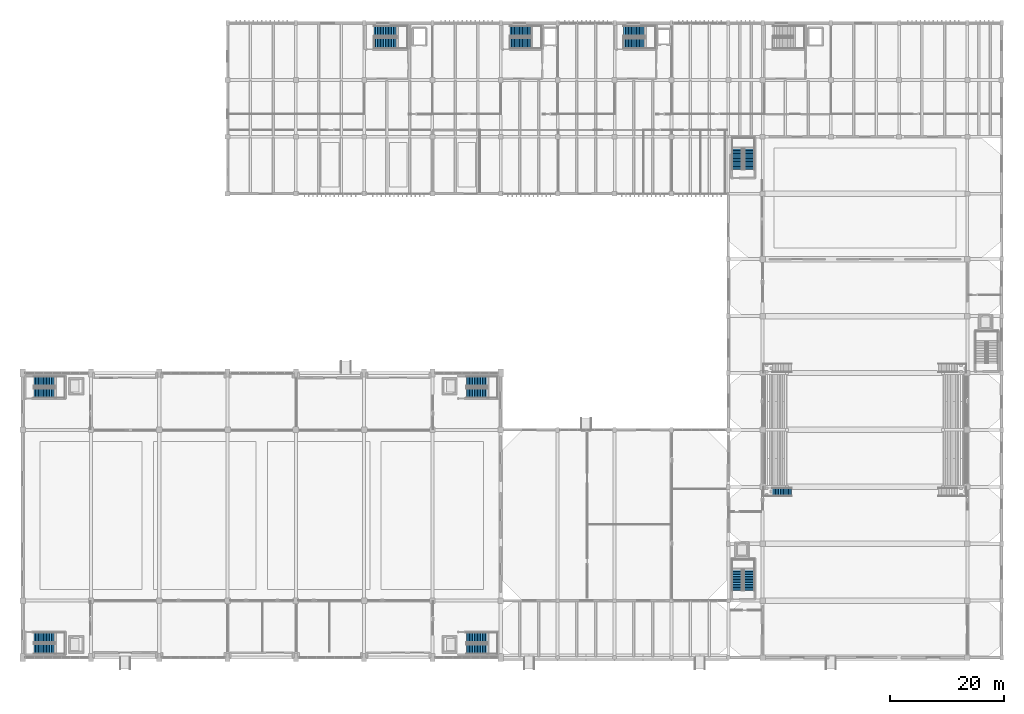
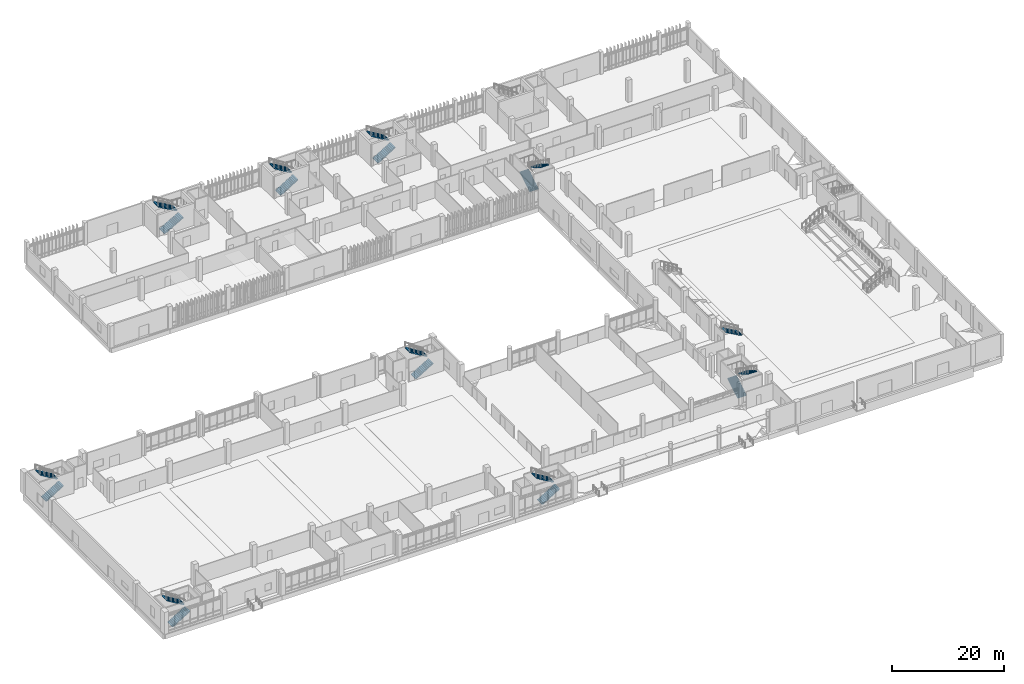
# One storey, part 79 of 87: 19 stair flights, 10 elements without a shape of their own.
"""IFC4 building model written with IfcOpenShell, lengths in metres."""

import ifcopenshell
import ifcopenshell.guid

model = None  # the IFC model being written
_history = None  # IfcOwnerHistory: only IFC2X3 demands one
_inside = {}  # id of a spatial element -> (the spatial element, [elements in it])
_under = {}  # id of a project, library or spatial element -> (it, [spatial elements below it])
_declared = {}  # id of a project -> (the project, [libraries it declares])
_typed = {}  # id of a type object -> (the type object, [elements of that type])
_made_of = {}  # id of a material, layer set ... -> (it, [elements and type objects made of it])


def new_model(schema):
    """Start an empty IFC model of exactly this schema.

    Asked for "IFC4X3", IfcOpenShell would pick the latest addendum, in which some entities
    have other attributes; the version numbers below select the first issue.
    IFC2X3 requires an IfcOwnerHistory on every rooted entity: one is made here for all.
    """
    global model, _history
    if schema == "IFC4X3":
        model = ifcopenshell.file(schema_version=(4, 3, 0, 0))
    else:
        model = ifcopenshell.file(schema=schema)
    _inside.clear()
    _under.clear()
    _declared.clear()
    _typed.clear()
    _made_of.clear()
    _history = None
    if model.schema == "IFC2X3":
        org = make("IfcOrganization", Name="unknown")
        user = make(
            "IfcPersonAndOrganization",
            ThePerson=make("IfcPerson", FamilyName="unknown"),
            TheOrganization=org,
        )
        app = make(
            "IfcApplication",
            ApplicationDeveloper=org,
            Version="unknown",
            ApplicationFullName="unknown",
            ApplicationIdentifier="unknown",
        )
        _history = make(
            "IfcOwnerHistory",
            OwningUser=user,
            OwningApplication=app,
            ChangeAction="ADDED",
            CreationDate=0,
        )
    return model


def make(cls, **values):
    """One entity of the class cls with the attributes given. An attribute that is None is left unset."""
    return model.create_entity(
        cls, **{name: value for name, value in values.items() if value is not None}
    )


def rooted(cls, **values):
    """An entity with a GlobalId (a new one), such as an element, a storey or a relation."""
    return make(cls, GlobalId=ifcopenshell.guid.new(), OwnerHistory=_history, **values)


def si_unit(unit_type, name, prefix=None):
    """IfcSIUnit, for example si_unit("LENGTHUNIT", "METRE", prefix="MILLI")."""
    return make("IfcSIUnit", UnitType=unit_type, Prefix=prefix, Name=name)


def assignment(units):
    """IfcUnitAssignment: the units of a project."""
    return None if units is None else make("IfcUnitAssignment", Units=units)


def point(xyz):
    """IfcCartesianPoint."""
    return None if xyz is None else make("IfcCartesianPoint", Coordinates=xyz)


def direction(xyz):
    """IfcDirection."""
    return None if xyz is None else make("IfcDirection", DirectionRatios=xyz)


def frame(location, z_axis=None, x_axis=None):
    """IfcAxis2Placement3D, a coordinate frame: its origin and axes. An axis left out is left unset."""
    return make(
        "IfcAxis2Placement3D",
        Location=point(location),
        Axis=direction(z_axis),
        RefDirection=direction(x_axis),
    )


def origin():
    """The frame at (0, 0, 0) with its axes left unset."""
    return frame((0.0, 0.0, 0.0))


def place(relative_to, where):
    """IfcLocalPlacement: puts the frame where relative to a parent placement (None: the world)."""
    return make(
        "IfcLocalPlacement", PlacementRelTo=relative_to, RelativePlacement=where
    )


def context(
    kind, dimensions, precision=None, world=None, true_north=None, identifier=None
):
    """IfcGeometricRepresentationContext, for example the 3D "Model" context."""
    return make(
        "IfcGeometricRepresentationContext",
        ContextIdentifier=identifier,
        ContextType=kind,
        CoordinateSpaceDimension=dimensions,
        Precision=precision,
        WorldCoordinateSystem=world,
        TrueNorth=true_north,
    )


def subcontext(parent, identifier, kind, view, scale=None):
    """IfcGeometricRepresentationSubContext, for example "Body" below "Model"."""
    return make(
        "IfcGeometricRepresentationSubContext",
        ContextIdentifier=identifier,
        ContextType=kind,
        ParentContext=parent,
        TargetScale=scale,
        TargetView=view,
    )


def project(units=None, contexts=None):
    """IfcProject with its units and contexts."""
    return rooted(
        "IfcProject",
        Name="project",
        RepresentationContexts=contexts,
        UnitsInContext=assignment(units),
    )


def spatial(cls, under=None, at=None, **own):
    """A site, building, storey or space (cls), placed at a placement, below another one or the project."""
    s = rooted(cls, ObjectPlacement=at, **own)
    if under is not None:
        _under.setdefault(under.id(), (under, []))[1].append(s)
    return s


def polyline(points):
    """IfcPolyline through the points."""
    return make("IfcPolyline", Points=[point(p) for p in points])


def outline(outer, holes=None, kind="AREA"):
    """IfcArbitraryClosedProfileDef: a profile drawn as a closed curve; with holes, ...WithVoids."""
    if holes is None:
        return make("IfcArbitraryClosedProfileDef", ProfileType=kind, OuterCurve=outer)
    return make(
        "IfcArbitraryProfileDefWithVoids",
        ProfileType=kind,
        OuterCurve=outer,
        InnerCurves=holes,
    )


def extrude(swept, where, along, depth):
    """IfcExtrudedAreaSolid: the profile swept, set in the frame where, extruded along a direction by depth."""
    return make(
        "IfcExtrudedAreaSolid",
        SweptArea=swept,
        Position=where,
        ExtrudedDirection=direction(along),
        Depth=depth,
    )


def shape(context_of_items, identifier, shape_type, items):
    """IfcShapeRepresentation: the items that make up one representation, for example the "Body"."""
    return make(
        "IfcShapeRepresentation",
        ContextOfItems=context_of_items,
        RepresentationIdentifier=identifier,
        RepresentationType=shape_type,
        Items=items,
    )


def material(Name=None, Category=None):
    """IfcMaterial."""
    return make("IfcMaterial", Name=Name, Category=Category)


def made_of(thing, what):
    """Note that an element or type object is made of a material, layer set ...; save() writes the relation."""
    if what is not None:
        _made_of.setdefault(what.id(), (what, []))[1].append(thing)
    return thing


def type_object(cls, material=None, **own):
    """A type object (cls), such as IfcWallType, which elements share."""
    return made_of(rooted(cls, **own), material)


def element(
    cls,
    number,
    at=None,
    inside=None,
    cuts=None,
    type_object=None,
    material=None,
    context=None,
    identifier="Body",
    shape_type=None,
    held_by="IfcProductDefinitionShape",
    body=None,
    shapes=None,
    **own,
):
    """One element of the class cls, such as IfcWall. Its Tag is "e" and its number.

    at: its placement. inside: the storey or other place that contains it. cuts: it is an
    opening in that element (IfcRelVoidsElement). A single representation is given by context,
    identifier, shape_type and body (its items); several are given by shapes. held_by: the class
    of the entity that holds the representations. save() writes the other relations.
    """
    e = rooted(cls, Tag="e%d" % number, ObjectPlacement=at, **own)
    if body is not None:
        shapes = [shape(context, identifier, shape_type, body)]
    if shapes is not None:
        e.Representation = make(held_by, Representations=shapes)
    if inside is not None:
        _inside.setdefault(inside.id(), (inside, []))[1].append(e)
    if cuts is not None:
        rooted(
            "IfcRelVoidsElement", RelatingBuildingElement=cuts, RelatedOpeningElement=e
        )
    if type_object is not None:
        _typed.setdefault(type_object.id(), (type_object, []))[1].append(e)
    return made_of(e, material)


def aggregate(whole, parts):
    """IfcRelAggregates: a whole, such as a stair, and the parts it consists of."""
    return rooted("IfcRelAggregates", RelatingObject=whole, RelatedObjects=parts)


def save(model, path):
    """Write the relations noted so far, then the file.

    IfcRelAggregates (storeys below a building ...), IfcRelContainedInSpatialStructure (elements
    in a storey), IfcRelDefinesByType, IfcRelAssociatesMaterial and IfcRelDeclares: one each for
    every whole, place, type object, material and project.
    """
    for whole, parts in _under.values():
        aggregate(whole, parts)
    for where, things in _inside.values():
        rooted(
            "IfcRelContainedInSpatialStructure",
            RelatedElements=things,
            RelatingStructure=where,
        )
    for kind, things in _typed.values():
        rooted("IfcRelDefinesByType", RelatedObjects=things, RelatingType=kind)
    for what, things in _made_of.values():
        rooted("IfcRelAssociatesMaterial", RelatedObjects=things, RelatingMaterial=what)
    for by, libraries in _declared.values():
        rooted("IfcRelDeclares", RelatingContext=by, RelatedDefinitions=libraries)
    model.write(path)


model = new_model("IFC4")

# Units and contexts
model_context = context("Model", 3, precision=1e-05, world=origin(), true_north=direction((0.0, 1.0)))
body_context = subcontext(model_context, "Body", "Model", "MODEL_VIEW")
ifc_project = project(units=[si_unit("LENGTHUNIT", "METRE"), si_unit("AREAUNIT", "SQUARE_METRE"), si_unit("VOLUMEUNIT", "CUBIC_METRE"), si_unit("PLANEANGLEUNIT", "RADIAN"), si_unit("MASSUNIT", "GRAM", prefix="KILO")], contexts=[model_context])

# Site, building, storey
site_placement = place(None, origin())
site = spatial("IfcSite", under=ifc_project, at=site_placement, CompositionType="ELEMENT")
building_placement = place(site_placement, origin())
building = spatial("IfcBuilding", under=site, at=building_placement, Name="Mersad Railyard Sports Hall", CompositionType="ELEMENT")
storey_placement = place(building_placement, origin())
storey = spatial("IfcBuildingStorey", under=building, at=storey_placement, Name="L00", CompositionType="ELEMENT", Elevation=0.0)

# Stair, stair flights
ifc_material_1 = material(Name="Concrete C40/50", Category="concrete")
stair_type_1 = type_object("IfcStairType", Name="ARC-ST-ST01B", PredefinedType="HALF_TURN_STAIR", material=ifc_material_1)
stair_1_placement = place(storey_placement, origin())
stair_1 = element("IfcStair", 1, at=stair_1_placement, inside=storey, type_object=stair_type_1, Name="Core C1 Exit Stair L00-L01", PredefinedType="HALF_TURN_STAIR")
stair_flight_type_1 = type_object("IfcStairFlightType", Name="ARC-SF-ST01BF", PredefinedType="STRAIGHT", material=ifc_material_1)
stair_flight_1_placement = place(storey_placement, frame((68.75, 111.429931640625, 0.0), z_axis=(0.0, 0.0, 1.0), x_axis=(1.0, 0.0, 0.0)))
stair_flight_1 = element("IfcStairFlight", 2, at=stair_flight_1_placement, type_object=stair_flight_type_1, Name="Core C1 Exit Stair L00-L01 Flight 1", NumberOfRisers=15, NumberOfTreads=14, PredefinedType="STRAIGHT", RiserHeight=0.16, TreadLength=0.28, context=body_context, shape_type="SweptSolid", body=[
    extrude(outline(polyline([(0.0, 0.0), (0.0, 0.159912109375), (0.280029296875, 0.159912109375), (0.280029296875, 0.320068359375), (0.56005859375, 0.320068359375), (0.56005859375, 0.47998046875), (0.840087890625, 0.47998046875), (0.840087890625, 0.639892578125), (1.1201171875, 0.639892578125), (1.1201171875, 0.800048828125), (1.39990234375, 0.800048828125), (1.39990234375, 0.9599609375), (1.679931640625, 0.9599609375), (1.679931640625, 1.1201171875), (1.9599609375, 1.1201171875), (1.9599609375, 1.280029296875), (2.239990234375, 1.280029296875), (2.239990234375, 1.43994140625), (2.52001953125, 1.43994140625), (2.52001953125, 1.60009765625), (2.800048828125, 1.60009765625), (2.800048828125, 1.760009765625), (3.080078125, 1.760009765625), (3.080078125, 1.919921875), (3.360107421875, 1.919921875), (3.360107421875, 2.080078125), (3.639892578125, 2.080078125), (3.639892578125, 2.239990234375), (3.919921875, 2.239990234375), (3.919921875, 2.39990234375), (3.919921875, 2.055908203125), (0.322265625, 0.0), (0.0, 0.0)])), frame((0.0, 0.91015625, 0.0), z_axis=(0.0, -1.0, 0.0), x_axis=(1.0, 0.0, 0.0)), (0.0, 0.0, 1.0), 1.820068359375),
])
stair_flight_2_placement = place(storey_placement, frame((72.669921875, 113.570068359375, 2.39990234375), z_axis=(0.0, 0.0, 1.0), x_axis=(-1.0, 0.0, 0.0)))
stair_flight_2 = element("IfcStairFlight", 3, at=stair_flight_2_placement, type_object=stair_flight_type_1, Name="Core C1 Exit Stair L00-L01 Flight 2", NumberOfRisers=15, NumberOfTreads=14, PredefinedType="STRAIGHT", RiserHeight=0.16, TreadLength=0.28, context=body_context, shape_type="SweptSolid", body=[
    extrude(outline(polyline([(0.0, 0.0), (0.0, 0.159912109375), (0.280029296875, 0.159912109375), (0.280029296875, 0.320068359375), (0.56005859375, 0.320068359375), (0.56005859375, 0.47998046875), (0.840087890625, 0.47998046875), (0.840087890625, 0.639892578125), (1.1201171875, 0.639892578125), (1.1201171875, 0.800048828125), (1.39990234375, 0.800048828125), (1.39990234375, 0.9599609375), (1.679931640625, 0.9599609375), (1.679931640625, 1.1201171875), (1.9599609375, 1.1201171875), (1.9599609375, 1.280029296875), (2.239990234375, 1.280029296875), (2.239990234375, 1.43994140625), (2.52001953125, 1.43994140625), (2.52001953125, 1.60009765625), (2.800048828125, 1.60009765625), (2.800048828125, 1.760009765625), (3.080078125, 1.760009765625), (3.080078125, 1.919921875), (3.360107421875, 1.919921875), (3.360107421875, 2.080078125), (3.639892578125, 2.080078125), (3.639892578125, 2.239990234375), (3.919921875, 2.239990234375), (3.919921875, 2.39990234375), (3.919921875, 2.055908203125), (0.322265625, 0.0), (0.0, 0.0)])), frame((0.0, 0.91015625, 0.0), z_axis=(0.0, -1.0, 0.0), x_axis=(1.0, 0.0, 0.0)), (0.0, 0.0, 1.0), 1.820068359375),
])
aggregate(stair_1, [stair_flight_1, stair_flight_2])

stair_type_2 = type_object("IfcStairType", Name="ARC-ST-ST02B", PredefinedType="HALF_TURN_STAIR", material=ifc_material_1)
stair_2_placement = place(storey_placement, origin())
stair_2 = element("IfcStair", 4, at=stair_2_placement, inside=storey, type_object=stair_type_2, Name="Core C2 Exit Stair L00-L01", PredefinedType="HALF_TURN_STAIR")
stair_flight_type_2 = type_object("IfcStairFlightType", Name="ARC-SF-ST02BF", PredefinedType="STRAIGHT", material=ifc_material_1)
stair_flight_3_placement = place(storey_placement, frame((92.60009765625, 111.429931640625, 0.0), z_axis=(0.0, 0.0, 1.0), x_axis=(1.0, 0.0, 0.0)))
stair_flight_3 = element("IfcStairFlight", 5, at=stair_flight_3_placement, type_object=stair_flight_type_2, Name="Core C2 Exit Stair L00-L01 Flight 1", NumberOfRisers=14, NumberOfTreads=13, PredefinedType="STRAIGHT", RiserHeight=0.171429, TreadLength=0.28, context=body_context, shape_type="SweptSolid", body=[
    extrude(outline(polyline([(0.0, 0.0), (0.0, 0.17138671875), (0.280029296875, 0.17138671875), (0.280029296875, 0.3427734375), (0.56005859375, 0.3427734375), (0.56005859375, 0.514404296875), (0.840087890625, 0.514404296875), (0.840087890625, 0.685791015625), (1.1201171875, 0.685791015625), (1.1201171875, 0.857177734375), (1.39990234375, 0.857177734375), (1.39990234375, 1.028564453125), (1.679931640625, 1.028564453125), (1.679931640625, 1.199951171875), (1.9599609375, 1.199951171875), (1.9599609375, 1.371337890625), (2.239990234375, 1.371337890625), (2.239990234375, 1.54296875), (2.52001953125, 1.54296875), (2.52001953125, 1.71435546875), (2.800048828125, 1.71435546875), (2.800048828125, 1.8857421875), (3.080078125, 1.8857421875), (3.080078125, 2.05712890625), (3.360107421875, 2.05712890625), (3.360107421875, 2.228515625), (3.639892578125, 2.228515625), (3.639892578125, 2.39990234375), (3.639892578125, 2.041015625), (0.30615234375, 0.0), (0.0, 0.0)])), frame((0.0, 0.91015625, 0.0), z_axis=(0.0, -1.0, 0.0), x_axis=(1.0, 0.0, 0.0)), (0.0, 0.0, 1.0), 1.820068359375),
])
stair_flight_4_placement = place(storey_placement, frame((96.239990234375, 113.570068359375, 2.39990234375), z_axis=(0.0, 0.0, 1.0), x_axis=(-1.0, 0.0, 0.0)))
stair_flight_4 = element("IfcStairFlight", 6, at=stair_flight_4_placement, type_object=stair_flight_type_2, Name="Core C2 Exit Stair L00-L01 Flight 2", NumberOfRisers=14, NumberOfTreads=13, PredefinedType="STRAIGHT", RiserHeight=0.171429, TreadLength=0.28, context=body_context, shape_type="SweptSolid", body=[
    extrude(outline(polyline([(0.0, 0.0), (0.0, 0.17138671875), (0.280029296875, 0.17138671875), (0.280029296875, 0.3427734375), (0.56005859375, 0.3427734375), (0.56005859375, 0.514404296875), (0.840087890625, 0.514404296875), (0.840087890625, 0.685791015625), (1.1201171875, 0.685791015625), (1.1201171875, 0.857177734375), (1.39990234375, 0.857177734375), (1.39990234375, 1.028564453125), (1.679931640625, 1.028564453125), (1.679931640625, 1.199951171875), (1.9599609375, 1.199951171875), (1.9599609375, 1.371337890625), (2.239990234375, 1.371337890625), (2.239990234375, 1.54296875), (2.52001953125, 1.54296875), (2.52001953125, 1.71435546875), (2.800048828125, 1.71435546875), (2.800048828125, 1.8857421875), (3.080078125, 1.8857421875), (3.080078125, 2.05712890625), (3.360107421875, 2.05712890625), (3.360107421875, 2.228515625), (3.639892578125, 2.228515625), (3.639892578125, 2.39990234375), (3.639892578125, 2.041015625), (0.30615234375, 0.0), (0.0, 0.0)])), frame((0.0, 0.91015625, 0.0), z_axis=(0.0, -1.0, 0.0), x_axis=(1.0, 0.0, 0.0)), (0.0, 0.0, 1.0), 1.820068359375),
])
aggregate(stair_2, [stair_flight_3, stair_flight_4])

stair_type_3 = type_object("IfcStairType", Name="ARC-ST-ST03B", PredefinedType="HALF_TURN_STAIR", material=ifc_material_1)
stair_3_placement = place(storey_placement, origin())
stair_3 = element("IfcStair", 7, at=stair_3_placement, inside=storey, type_object=stair_type_3, Name="Core C3 Exit Stair L00-L01", PredefinedType="HALF_TURN_STAIR")
stair_flight_type_3 = type_object("IfcStairFlightType", Name="ARC-SF-ST03BF", PredefinedType="STRAIGHT", material=ifc_material_1)
stair_flight_5_placement = place(storey_placement, frame((112.60009765625, 111.409912109375, 0.0), z_axis=(0.0, 0.0, 1.0), x_axis=(1.0, 0.0, 0.0)))
stair_flight_5 = element("IfcStairFlight", 8, at=stair_flight_5_placement, type_object=stair_flight_type_3, Name="Core C3 Exit Stair L00-L01 Flight 1", NumberOfRisers=14, NumberOfTreads=13, PredefinedType="STRAIGHT", RiserHeight=0.171429, TreadLength=0.28, context=body_context, shape_type="SweptSolid", body=[
    extrude(outline(polyline([(0.0, 0.0), (0.0, 0.17138671875), (0.280029296875, 0.17138671875), (0.280029296875, 0.3427734375), (0.56005859375, 0.3427734375), (0.56005859375, 0.514404296875), (0.840087890625, 0.514404296875), (0.840087890625, 0.685791015625), (1.1201171875, 0.685791015625), (1.1201171875, 0.857177734375), (1.39990234375, 0.857177734375), (1.39990234375, 1.028564453125), (1.679931640625, 1.028564453125), (1.679931640625, 1.199951171875), (1.9599609375, 1.199951171875), (1.9599609375, 1.371337890625), (2.239990234375, 1.371337890625), (2.239990234375, 1.54296875), (2.52001953125, 1.54296875), (2.52001953125, 1.71435546875), (2.800048828125, 1.71435546875), (2.800048828125, 1.8857421875), (3.080078125, 1.8857421875), (3.080078125, 2.05712890625), (3.360107421875, 2.05712890625), (3.360107421875, 2.228515625), (3.639892578125, 2.228515625), (3.639892578125, 2.39990234375), (3.639892578125, 2.041015625), (0.30615234375, 0.0), (0.0, 0.0)])), frame((0.0, 0.89013671875, 0.0), z_axis=(0.0, -1.0, 0.0), x_axis=(1.0, 0.0, 0.0)), (0.0, 0.0, 1.0), 1.780029296875),
])
stair_flight_6_placement = place(storey_placement, frame((116.239990234375, 113.590087890625, 2.39990234375), z_axis=(0.0, 0.0, 1.0), x_axis=(-1.0, 0.0, 0.0)))
stair_flight_6 = element("IfcStairFlight", 9, at=stair_flight_6_placement, type_object=stair_flight_type_3, Name="Core C3 Exit Stair L00-L01 Flight 2", NumberOfRisers=14, NumberOfTreads=13, PredefinedType="STRAIGHT", RiserHeight=0.171429, TreadLength=0.28, context=body_context, shape_type="SweptSolid", body=[
    extrude(outline(polyline([(0.0, 0.0), (0.0, 0.17138671875), (0.280029296875, 0.17138671875), (0.280029296875, 0.3427734375), (0.56005859375, 0.3427734375), (0.56005859375, 0.514404296875), (0.840087890625, 0.514404296875), (0.840087890625, 0.685791015625), (1.1201171875, 0.685791015625), (1.1201171875, 0.857177734375), (1.39990234375, 0.857177734375), (1.39990234375, 1.028564453125), (1.679931640625, 1.028564453125), (1.679931640625, 1.199951171875), (1.9599609375, 1.199951171875), (1.9599609375, 1.371337890625), (2.239990234375, 1.371337890625), (2.239990234375, 1.54296875), (2.52001953125, 1.54296875), (2.52001953125, 1.71435546875), (2.800048828125, 1.71435546875), (2.800048828125, 1.8857421875), (3.080078125, 1.8857421875), (3.080078125, 2.05712890625), (3.360107421875, 2.05712890625), (3.360107421875, 2.228515625), (3.639892578125, 2.228515625), (3.639892578125, 2.39990234375), (3.639892578125, 2.041015625), (0.30615234375, 0.0), (0.0, 0.0)])), frame((0.0, 0.89013671875, 0.0), z_axis=(0.0, -1.0, 0.0), x_axis=(1.0, 0.0, 0.0)), (0.0, 0.0, 1.0), 1.780029296875),
])
aggregate(stair_3, [stair_flight_5, stair_flight_6])

stair_type_4 = type_object("IfcStairType", Name="ARC-ST-ST05A", PredefinedType="HALF_TURN_STAIR", material=ifc_material_1)
stair_4_placement = place(storey_placement, origin())
stair_4 = element("IfcStair", 10, at=stair_4_placement, inside=storey, type_object=stair_type_4, Name="SW Pavilion Pitch Stair L00-L01", PredefinedType="HALF_TURN_STAIR")
stair_flight_type_4 = type_object("IfcStairFlightType", Name="ARC-SF-ST05AF", PredefinedType="STRAIGHT", material=ifc_material_1)
stair_flight_7_placement = place(storey_placement, frame((8.949951171875, 4.989990234375, 0.0), z_axis=(0.0, 0.0, 1.0), x_axis=(1.0, 0.0, 0.0)))
stair_flight_7 = element("IfcStairFlight", 11, at=stair_flight_7_placement, type_object=stair_flight_type_4, Name="SW Pavilion Pitch Stair L00-L01 Flight 1", NumberOfRisers=14, NumberOfTreads=13, PredefinedType="STRAIGHT", RiserHeight=0.171429, TreadLength=0.28, context=body_context, shape_type="SweptSolid", body=[
    extrude(outline(polyline([(0.0, 0.0), (0.0, 0.17138671875), (0.280029296875, 0.17138671875), (0.280029296875, 0.3427734375), (0.56005859375, 0.3427734375), (0.56005859375, 0.514404296875), (0.840087890625, 0.514404296875), (0.840087890625, 0.685791015625), (1.1201171875, 0.685791015625), (1.1201171875, 0.857177734375), (1.39990234375, 0.857177734375), (1.39990234375, 1.028564453125), (1.679931640625, 1.028564453125), (1.679931640625, 1.199951171875), (1.9599609375, 1.199951171875), (1.9599609375, 1.371337890625), (2.239990234375, 1.371337890625), (2.239990234375, 1.54296875), (2.52001953125, 1.54296875), (2.52001953125, 1.71435546875), (2.800048828125, 1.71435546875), (2.800048828125, 1.8857421875), (3.080078125, 1.8857421875), (3.080078125, 2.05712890625), (3.360107421875, 2.05712890625), (3.360107421875, 2.228515625), (3.639892578125, 2.228515625), (3.639892578125, 2.39990234375), (3.639892578125, 2.041015625), (0.30615234375, 0.0), (0.0, 0.0)])), frame((0.0, 0.8701171875, 0.0), z_axis=(0.0, -1.0, 0.0), x_axis=(1.0, 0.0, 0.0)), (0.0, 0.0, 1.0), 1.739990234375),
])
stair_flight_8_placement = place(storey_placement, frame((12.590087890625, 7.010009765625, 2.39990234375), z_axis=(0.0, 0.0, 1.0), x_axis=(-1.0, 0.0, 0.0)))
stair_flight_8 = element("IfcStairFlight", 12, at=stair_flight_8_placement, type_object=stair_flight_type_4, Name="SW Pavilion Pitch Stair L00-L01 Flight 2", NumberOfRisers=14, NumberOfTreads=13, PredefinedType="STRAIGHT", RiserHeight=0.171429, TreadLength=0.28, context=body_context, shape_type="SweptSolid", body=[
    extrude(outline(polyline([(0.0, 0.0), (0.0, 0.17138671875), (0.280029296875, 0.17138671875), (0.280029296875, 0.3427734375), (0.56005859375, 0.3427734375), (0.56005859375, 0.514404296875), (0.840087890625, 0.514404296875), (0.840087890625, 0.685791015625), (1.1201171875, 0.685791015625), (1.1201171875, 0.857177734375), (1.39990234375, 0.857177734375), (1.39990234375, 1.028564453125), (1.679931640625, 1.028564453125), (1.679931640625, 1.199951171875), (1.9599609375, 1.199951171875), (1.9599609375, 1.371337890625), (2.239990234375, 1.371337890625), (2.239990234375, 1.54296875), (2.52001953125, 1.54296875), (2.52001953125, 1.71435546875), (2.800048828125, 1.71435546875), (2.800048828125, 1.8857421875), (3.080078125, 1.8857421875), (3.080078125, 2.05712890625), (3.360107421875, 2.05712890625), (3.360107421875, 2.228515625), (3.639892578125, 2.228515625), (3.639892578125, 2.39990234375), (3.639892578125, 2.041015625), (0.30615234375, 0.0), (0.0, 0.0)])), frame((0.0, 0.8701171875, 0.0), z_axis=(0.0, -1.0, 0.0), x_axis=(1.0, 0.0, 0.0)), (0.0, 0.0, 1.0), 1.739990234375),
])
aggregate(stair_4, [stair_flight_7, stair_flight_8])

stair_type_5 = type_object("IfcStairType", Name="ARC-ST-ST06A", PredefinedType="HALF_TURN_STAIR", material=ifc_material_1)
stair_5_placement = place(storey_placement, origin())
stair_5 = element("IfcStair", 13, at=stair_5_placement, inside=storey, type_object=stair_type_5, Name="SE Pavilion Pitch Stair L00-L01", PredefinedType="HALF_TURN_STAIR")
stair_flight_type_5 = type_object("IfcStairFlightType", Name="ARC-SF-ST06AF", PredefinedType="STRAIGHT", material=ifc_material_1)
stair_flight_9_placement = place(storey_placement, frame((84.949951171875, 4.97998046875, 0.0), z_axis=(0.0, 0.0, 1.0), x_axis=(1.0, 0.0, 0.0)))
stair_flight_9 = element("IfcStairFlight", 14, at=stair_flight_9_placement, type_object=stair_flight_type_5, Name="SE Pavilion Pitch Stair L00-L01 Flight 1", NumberOfRisers=14, NumberOfTreads=13, PredefinedType="STRAIGHT", RiserHeight=0.171429, TreadLength=0.28, context=body_context, shape_type="SweptSolid", body=[
    extrude(outline(polyline([(0.0, 0.0), (0.0, 0.17138671875), (0.280029296875, 0.17138671875), (0.280029296875, 0.3427734375), (0.56005859375, 0.3427734375), (0.56005859375, 0.514404296875), (0.840087890625, 0.514404296875), (0.840087890625, 0.685791015625), (1.1201171875, 0.685791015625), (1.1201171875, 0.857177734375), (1.39990234375, 0.857177734375), (1.39990234375, 1.028564453125), (1.679931640625, 1.028564453125), (1.679931640625, 1.199951171875), (1.9599609375, 1.199951171875), (1.9599609375, 1.371337890625), (2.239990234375, 1.371337890625), (2.239990234375, 1.54296875), (2.52001953125, 1.54296875), (2.52001953125, 1.71435546875), (2.800048828125, 1.71435546875), (2.800048828125, 1.8857421875), (3.080078125, 1.8857421875), (3.080078125, 2.05712890625), (3.360107421875, 2.05712890625), (3.360107421875, 2.228515625), (3.639892578125, 2.228515625), (3.639892578125, 2.39990234375), (3.639892578125, 2.041015625), (0.30615234375, 0.0), (0.0, 0.0)])), frame((0.0, 0.85986328125, 0.0), z_axis=(0.0, -1.0, 0.0), x_axis=(1.0, 0.0, 0.0)), (0.0, 0.0, 1.0), 1.719970703125),
])
stair_flight_10_placement = place(storey_placement, frame((88.590087890625, 7.02001953125, 2.39990234375), z_axis=(0.0, 0.0, 1.0), x_axis=(-1.0, 0.0, 0.0)))
stair_flight_10 = element("IfcStairFlight", 15, at=stair_flight_10_placement, type_object=stair_flight_type_5, Name="SE Pavilion Pitch Stair L00-L01 Flight 2", NumberOfRisers=14, NumberOfTreads=13, PredefinedType="STRAIGHT", RiserHeight=0.171429, TreadLength=0.28, context=body_context, shape_type="SweptSolid", body=[
    extrude(outline(polyline([(0.0, 0.0), (0.0, 0.17138671875), (0.280029296875, 0.17138671875), (0.280029296875, 0.3427734375), (0.56005859375, 0.3427734375), (0.56005859375, 0.514404296875), (0.840087890625, 0.514404296875), (0.840087890625, 0.685791015625), (1.1201171875, 0.685791015625), (1.1201171875, 0.857177734375), (1.39990234375, 0.857177734375), (1.39990234375, 1.028564453125), (1.679931640625, 1.028564453125), (1.679931640625, 1.199951171875), (1.9599609375, 1.199951171875), (1.9599609375, 1.371337890625), (2.239990234375, 1.371337890625), (2.239990234375, 1.54296875), (2.52001953125, 1.54296875), (2.52001953125, 1.71435546875), (2.800048828125, 1.71435546875), (2.800048828125, 1.8857421875), (3.080078125, 1.8857421875), (3.080078125, 2.05712890625), (3.360107421875, 2.05712890625), (3.360107421875, 2.228515625), (3.639892578125, 2.228515625), (3.639892578125, 2.39990234375), (3.639892578125, 2.041015625), (0.30615234375, 0.0), (0.0, 0.0)])), frame((0.0, 0.85986328125, 0.0), z_axis=(0.0, -1.0, 0.0), x_axis=(1.0, 0.0, 0.0)), (0.0, 0.0, 1.0), 1.719970703125),
])
aggregate(stair_5, [stair_flight_9, stair_flight_10])

stair_type_6 = type_object("IfcStairType", Name="ARC-ST-ST07A", PredefinedType="HALF_TURN_STAIR", material=ifc_material_1)
stair_6_placement = place(storey_placement, origin())
stair_6 = element("IfcStair", 16, at=stair_6_placement, inside=storey, type_object=stair_type_6, Name="NW Pavilion Pitch Stair L00-L01", PredefinedType="HALF_TURN_STAIR")
stair_flight_type_6 = type_object("IfcStairFlightType", Name="ARC-SF-ST07AF", PredefinedType="STRAIGHT", material=ifc_material_1)
stair_flight_11_placement = place(storey_placement, frame((8.949951171875, 49.969970703125, 0.0), z_axis=(0.0, 0.0, 1.0), x_axis=(1.0, 0.0, 0.0)))
stair_flight_11 = element("IfcStairFlight", 17, at=stair_flight_11_placement, type_object=stair_flight_type_6, Name="NW Pavilion Pitch Stair L00-L01 Flight 1", NumberOfRisers=14, NumberOfTreads=13, PredefinedType="STRAIGHT", RiserHeight=0.171429, TreadLength=0.28, context=body_context, shape_type="SweptSolid", body=[
    extrude(outline(polyline([(0.0, 0.0), (0.0, 0.17138671875), (0.280029296875, 0.17138671875), (0.280029296875, 0.3427734375), (0.56005859375, 0.3427734375), (0.56005859375, 0.514404296875), (0.840087890625, 0.514404296875), (0.840087890625, 0.685791015625), (1.1201171875, 0.685791015625), (1.1201171875, 0.857177734375), (1.39990234375, 0.857177734375), (1.39990234375, 1.028564453125), (1.679931640625, 1.028564453125), (1.679931640625, 1.199951171875), (1.9599609375, 1.199951171875), (1.9599609375, 1.371337890625), (2.239990234375, 1.371337890625), (2.239990234375, 1.54296875), (2.52001953125, 1.54296875), (2.52001953125, 1.71435546875), (2.800048828125, 1.71435546875), (2.800048828125, 1.8857421875), (3.080078125, 1.8857421875), (3.080078125, 2.05712890625), (3.360107421875, 2.05712890625), (3.360107421875, 2.228515625), (3.639892578125, 2.228515625), (3.639892578125, 2.39990234375), (3.639892578125, 2.041015625), (0.30615234375, 0.0), (0.0, 0.0)])), frame((0.0, 0.85009765625, 0.0), z_axis=(0.0, -1.0, 0.0), x_axis=(1.0, 0.0, 0.0)), (0.0, 0.0, 1.0), 1.699951171875),
])
stair_flight_12_placement = place(storey_placement, frame((12.590087890625, 52.030029296875, 2.39990234375), z_axis=(0.0, 0.0, 1.0), x_axis=(-1.0, 0.0, 0.0)))
stair_flight_12 = element("IfcStairFlight", 18, at=stair_flight_12_placement, type_object=stair_flight_type_6, Name="NW Pavilion Pitch Stair L00-L01 Flight 2", NumberOfRisers=14, NumberOfTreads=13, PredefinedType="STRAIGHT", RiserHeight=0.171429, TreadLength=0.28, context=body_context, shape_type="SweptSolid", body=[
    extrude(outline(polyline([(0.0, 0.0), (0.0, 0.17138671875), (0.280029296875, 0.17138671875), (0.280029296875, 0.3427734375), (0.56005859375, 0.3427734375), (0.56005859375, 0.514404296875), (0.840087890625, 0.514404296875), (0.840087890625, 0.685791015625), (1.1201171875, 0.685791015625), (1.1201171875, 0.857177734375), (1.39990234375, 0.857177734375), (1.39990234375, 1.028564453125), (1.679931640625, 1.028564453125), (1.679931640625, 1.199951171875), (1.9599609375, 1.199951171875), (1.9599609375, 1.371337890625), (2.239990234375, 1.371337890625), (2.239990234375, 1.54296875), (2.52001953125, 1.54296875), (2.52001953125, 1.71435546875), (2.800048828125, 1.71435546875), (2.800048828125, 1.8857421875), (3.080078125, 1.8857421875), (3.080078125, 2.05712890625), (3.360107421875, 2.05712890625), (3.360107421875, 2.228515625), (3.639892578125, 2.228515625), (3.639892578125, 2.39990234375), (3.639892578125, 2.041015625), (0.30615234375, 0.0), (0.0, 0.0)])), frame((0.0, 0.85009765625, 0.0), z_axis=(0.0, -1.0, 0.0), x_axis=(1.0, 0.0, 0.0)), (0.0, 0.0, 1.0), 1.699951171875),
])
aggregate(stair_6, [stair_flight_11, stair_flight_12])

stair_type_7 = type_object("IfcStairType", Name="ARC-ST-ST08A", PredefinedType="HALF_TURN_STAIR", material=ifc_material_1)
stair_7_placement = place(storey_placement, origin())
stair_7 = element("IfcStair", 19, at=stair_7_placement, inside=storey, type_object=stair_type_7, Name="NE Pavilion Pitch Stair L00-L01", PredefinedType="HALF_TURN_STAIR")
stair_flight_type_7 = type_object("IfcStairFlightType", Name="ARC-SF-ST08AF", PredefinedType="STRAIGHT", material=ifc_material_1)
stair_flight_13_placement = place(storey_placement, frame((84.949951171875, 49.9599609375, 0.0), z_axis=(0.0, 0.0, 1.0), x_axis=(1.0, 0.0, 0.0)))
stair_flight_13 = element("IfcStairFlight", 20, at=stair_flight_13_placement, type_object=stair_flight_type_7, Name="NE Pavilion Pitch Stair L00-L01 Flight 1", NumberOfRisers=14, NumberOfTreads=13, PredefinedType="STRAIGHT", RiserHeight=0.171429, TreadLength=0.28, context=body_context, shape_type="SweptSolid", body=[
    extrude(outline(polyline([(0.0, 0.0), (0.0, 0.17138671875), (0.280029296875, 0.17138671875), (0.280029296875, 0.3427734375), (0.56005859375, 0.3427734375), (0.56005859375, 0.514404296875), (0.840087890625, 0.514404296875), (0.840087890625, 0.685791015625), (1.1201171875, 0.685791015625), (1.1201171875, 0.857177734375), (1.39990234375, 0.857177734375), (1.39990234375, 1.028564453125), (1.679931640625, 1.028564453125), (1.679931640625, 1.199951171875), (1.9599609375, 1.199951171875), (1.9599609375, 1.371337890625), (2.239990234375, 1.371337890625), (2.239990234375, 1.54296875), (2.52001953125, 1.54296875), (2.52001953125, 1.71435546875), (2.800048828125, 1.71435546875), (2.800048828125, 1.8857421875), (3.080078125, 1.8857421875), (3.080078125, 2.05712890625), (3.360107421875, 2.05712890625), (3.360107421875, 2.228515625), (3.639892578125, 2.228515625), (3.639892578125, 2.39990234375), (3.639892578125, 2.041015625), (0.30615234375, 0.0), (0.0, 0.0)])), frame((0.0, 0.83984375, 0.0), z_axis=(0.0, -1.0, 0.0), x_axis=(1.0, 0.0, 0.0)), (0.0, 0.0, 1.0), 1.679931640625),
])
stair_flight_14_placement = place(storey_placement, frame((88.590087890625, 52.0400390625, 2.39990234375), z_axis=(0.0, 0.0, 1.0), x_axis=(-1.0, 0.0, 0.0)))
stair_flight_14 = element("IfcStairFlight", 21, at=stair_flight_14_placement, type_object=stair_flight_type_7, Name="NE Pavilion Pitch Stair L00-L01 Flight 2", NumberOfRisers=14, NumberOfTreads=13, PredefinedType="STRAIGHT", RiserHeight=0.171429, TreadLength=0.28, context=body_context, shape_type="SweptSolid", body=[
    extrude(outline(polyline([(0.0, 0.0), (0.0, 0.17138671875), (0.280029296875, 0.17138671875), (0.280029296875, 0.3427734375), (0.56005859375, 0.3427734375), (0.56005859375, 0.514404296875), (0.840087890625, 0.514404296875), (0.840087890625, 0.685791015625), (1.1201171875, 0.685791015625), (1.1201171875, 0.857177734375), (1.39990234375, 0.857177734375), (1.39990234375, 1.028564453125), (1.679931640625, 1.028564453125), (1.679931640625, 1.199951171875), (1.9599609375, 1.199951171875), (1.9599609375, 1.371337890625), (2.239990234375, 1.371337890625), (2.239990234375, 1.54296875), (2.52001953125, 1.54296875), (2.52001953125, 1.71435546875), (2.800048828125, 1.71435546875), (2.800048828125, 1.8857421875), (3.080078125, 1.8857421875), (3.080078125, 2.05712890625), (3.360107421875, 2.05712890625), (3.360107421875, 2.228515625), (3.639892578125, 2.228515625), (3.639892578125, 2.39990234375), (3.639892578125, 2.041015625), (0.30615234375, 0.0), (0.0, 0.0)])), frame((0.0, 0.83984375, 0.0), z_axis=(0.0, -1.0, 0.0), x_axis=(1.0, 0.0, 0.0)), (0.0, 0.0, 1.0), 1.679931640625),
])
aggregate(stair_7, [stair_flight_13, stair_flight_14])

stair_type_8 = type_object("IfcStairType", Name="ARC-ST-ST09A", PredefinedType="HALF_TURN_STAIR", material=ifc_material_1)
stair_8_placement = place(storey_placement, origin())
stair_8 = element("IfcStair", 22, at=stair_8_placement, inside=storey, type_object=stair_type_8, Name="Show Court West Exit Stair L00-L01", PredefinedType="HALF_TURN_STAIR")
stair_flight_type_8 = type_object("IfcStairFlightType", Name="ARC-SF-ST09AF", PredefinedType="STRAIGHT", material=ifc_material_1)
stair_flight_15_placement = place(storey_placement, frame((132.530029296875, 15.25, 0.0), z_axis=(0.0, 0.0, 1.0), x_axis=(0.0, 1.0, 0.0)))
stair_flight_15 = element("IfcStairFlight", 23, at=stair_flight_15_placement, type_object=stair_flight_type_8, Name="Show Court West Exit Stair L00-L01 Flight 1", NumberOfRisers=14, NumberOfTreads=13, PredefinedType="STRAIGHT", RiserHeight=0.171429, TreadLength=0.28, context=body_context, shape_type="SweptSolid", body=[
    extrude(outline(polyline([(0.0, 0.0), (0.0, 0.17138671875), (0.280029296875, 0.17138671875), (0.280029296875, 0.3427734375), (0.56005859375, 0.3427734375), (0.56005859375, 0.514404296875), (0.840087890625, 0.514404296875), (0.840087890625, 0.685791015625), (1.1201171875, 0.685791015625), (1.1201171875, 0.857177734375), (1.39990234375, 0.857177734375), (1.39990234375, 1.028564453125), (1.679931640625, 1.028564453125), (1.679931640625, 1.199951171875), (1.9599609375, 1.199951171875), (1.9599609375, 1.371337890625), (2.239990234375, 1.371337890625), (2.239990234375, 1.54296875), (2.52001953125, 1.54296875), (2.52001953125, 1.71435546875), (2.800048828125, 1.71435546875), (2.800048828125, 1.8857421875), (3.080078125, 1.8857421875), (3.080078125, 2.05712890625), (3.360107421875, 2.05712890625), (3.360107421875, 2.228515625), (3.639892578125, 2.228515625), (3.639892578125, 2.39990234375), (3.639892578125, 2.041015625), (0.30615234375, 0.0), (0.0, 0.0)])), frame((0.0, 0.91015625, 0.0), z_axis=(0.0, -1.0, 0.0), x_axis=(1.0, 0.0, 0.0)), (0.0, 0.0, 1.0), 1.820068359375),
])
stair_flight_16_placement = place(storey_placement, frame((134.669921875, 18.889892578125, 2.39990234375), z_axis=(0.0, 0.0, 1.0), x_axis=(0.0, -1.0, 0.0)))
stair_flight_16 = element("IfcStairFlight", 24, at=stair_flight_16_placement, type_object=stair_flight_type_8, Name="Show Court West Exit Stair L00-L01 Flight 2", NumberOfRisers=14, NumberOfTreads=13, PredefinedType="STRAIGHT", RiserHeight=0.171429, TreadLength=0.28, context=body_context, shape_type="SweptSolid", body=[
    extrude(outline(polyline([(0.0, 0.0), (0.0, 0.17138671875), (0.280029296875, 0.17138671875), (0.280029296875, 0.3427734375), (0.56005859375, 0.3427734375), (0.56005859375, 0.514404296875), (0.840087890625, 0.514404296875), (0.840087890625, 0.685791015625), (1.1201171875, 0.685791015625), (1.1201171875, 0.857177734375), (1.39990234375, 0.857177734375), (1.39990234375, 1.028564453125), (1.679931640625, 1.028564453125), (1.679931640625, 1.199951171875), (1.9599609375, 1.199951171875), (1.9599609375, 1.371337890625), (2.239990234375, 1.371337890625), (2.239990234375, 1.54296875), (2.52001953125, 1.54296875), (2.52001953125, 1.71435546875), (2.800048828125, 1.71435546875), (2.800048828125, 1.8857421875), (3.080078125, 1.8857421875), (3.080078125, 2.05712890625), (3.360107421875, 2.05712890625), (3.360107421875, 2.228515625), (3.639892578125, 2.228515625), (3.639892578125, 2.39990234375), (3.639892578125, 2.041015625), (0.30615234375, 0.0), (0.0, 0.0)])), frame((0.0, 0.91015625, 0.0), z_axis=(0.0, -1.0, 0.0), x_axis=(1.0, 0.0, 0.0)), (0.0, 0.0, 1.0), 1.820068359375),
])
aggregate(stair_8, [stair_flight_15, stair_flight_16])

stair_type_9 = type_object("IfcStairType", Name="ARC-ST-ST11A", PredefinedType="HALF_TURN_STAIR", material=ifc_material_1)
stair_9_placement = place(storey_placement, origin())
stair_9 = element("IfcStair", 25, at=stair_9_placement, inside=storey, type_object=stair_type_9, Name="Climbing Mezzanine Stair L00-L01", PredefinedType="HALF_TURN_STAIR")
stair_flight_type_9 = type_object("IfcStairFlightType", Name="ARC-SF-ST11AF", PredefinedType="STRAIGHT", material=ifc_material_1)
stair_flight_17_placement = place(storey_placement, frame((132.510009765625, 89.25, 0.0), z_axis=(0.0, 0.0, 1.0), x_axis=(0.0, 1.0, 0.0)))
stair_flight_17 = element("IfcStairFlight", 26, at=stair_flight_17_placement, type_object=stair_flight_type_9, Name="Climbing Mezzanine Stair L00-L01 Flight 1", NumberOfRisers=14, NumberOfTreads=13, PredefinedType="STRAIGHT", RiserHeight=0.171429, TreadLength=0.28, context=body_context, shape_type="SweptSolid", body=[
    extrude(outline(polyline([(0.0, 0.0), (0.0, 0.17138671875), (0.280029296875, 0.17138671875), (0.280029296875, 0.3427734375), (0.56005859375, 0.3427734375), (0.56005859375, 0.514404296875), (0.840087890625, 0.514404296875), (0.840087890625, 0.685791015625), (1.1201171875, 0.685791015625), (1.1201171875, 0.857177734375), (1.39990234375, 0.857177734375), (1.39990234375, 1.028564453125), (1.679931640625, 1.028564453125), (1.679931640625, 1.199951171875), (1.9599609375, 1.199951171875), (1.9599609375, 1.371337890625), (2.239990234375, 1.371337890625), (2.239990234375, 1.54296875), (2.52001953125, 1.54296875), (2.52001953125, 1.71435546875), (2.800048828125, 1.71435546875), (2.800048828125, 1.8857421875), (3.080078125, 1.8857421875), (3.080078125, 2.05712890625), (3.360107421875, 2.05712890625), (3.360107421875, 2.228515625), (3.639892578125, 2.228515625), (3.639892578125, 2.39990234375), (3.639892578125, 2.041015625), (0.30615234375, 0.0), (0.0, 0.0)])), frame((0.0, 0.89013671875, 0.0), z_axis=(0.0, -1.0, 0.0), x_axis=(1.0, 0.0, 0.0)), (0.0, 0.0, 1.0), 1.780029296875),
])
stair_flight_18_placement = place(storey_placement, frame((134.68994140625, 92.889892578125, 2.39990234375), z_axis=(0.0, 0.0, 1.0), x_axis=(0.0, -1.0, 0.0)))
stair_flight_18 = element("IfcStairFlight", 27, at=stair_flight_18_placement, type_object=stair_flight_type_9, Name="Climbing Mezzanine Stair L00-L01 Flight 2", NumberOfRisers=14, NumberOfTreads=13, PredefinedType="STRAIGHT", RiserHeight=0.171429, TreadLength=0.28, context=body_context, shape_type="SweptSolid", body=[
    extrude(outline(polyline([(0.0, 0.0), (0.0, 0.17138671875), (0.280029296875, 0.17138671875), (0.280029296875, 0.3427734375), (0.56005859375, 0.3427734375), (0.56005859375, 0.514404296875), (0.840087890625, 0.514404296875), (0.840087890625, 0.685791015625), (1.1201171875, 0.685791015625), (1.1201171875, 0.857177734375), (1.39990234375, 0.857177734375), (1.39990234375, 1.028564453125), (1.679931640625, 1.028564453125), (1.679931640625, 1.199951171875), (1.9599609375, 1.199951171875), (1.9599609375, 1.371337890625), (2.239990234375, 1.371337890625), (2.239990234375, 1.54296875), (2.52001953125, 1.54296875), (2.52001953125, 1.71435546875), (2.800048828125, 1.71435546875), (2.800048828125, 1.8857421875), (3.080078125, 1.8857421875), (3.080078125, 2.05712890625), (3.360107421875, 2.05712890625), (3.360107421875, 2.228515625), (3.639892578125, 2.228515625), (3.639892578125, 2.39990234375), (3.639892578125, 2.041015625), (0.30615234375, 0.0), (0.0, 0.0)])), frame((0.0, 0.89013671875, 0.0), z_axis=(0.0, -1.0, 0.0), x_axis=(1.0, 0.0, 0.0)), (0.0, 0.0, 1.0), 1.780029296875),
])
aggregate(stair_9, [stair_flight_17, stair_flight_18])

# Stair, stair flight
ifc_material_2 = material(Name="Precast concrete C45/55", Category="concrete")
stair_type_10 = type_object("IfcStairType", Name="ARC-ST-STV1", PredefinedType="STRAIGHT_RUN_STAIR", material=ifc_material_2)
stair_10_placement = place(storey_placement, origin())
stair_10 = element("IfcStair", 28, at=stair_10_placement, inside=storey, type_object=stair_type_10, Name="Show Court Vomitory Stair West South", PredefinedType="STRAIGHT_RUN_STAIR")
stair_flight_type_10 = type_object("IfcStairFlightType", Name="ARC-SF-STV1F", PredefinedType="STRAIGHT", material=ifc_material_2)
stair_flight_19_placement = place(storey_placement, frame((142.1201171875, 32.60009765625, 0.0), z_axis=(0.0, 0.0, 1.0), x_axis=(-1.0, 0.0, 0.0)))
stair_flight_19 = element("IfcStairFlight", 29, at=stair_flight_19_placement, type_object=stair_flight_type_10, Name="Show Court Vomitory Stair West South Flight", NumberOfRisers=13, NumberOfTreads=12, PredefinedType="STRAIGHT", RiserHeight=0.161538, TreadLength=0.285, context=body_context, shape_type="SweptSolid", body=[
    extrude(outline(polyline([(0.0, 0.0), (0.0, 0.16162109375), (0.284912109375, 0.16162109375), (0.284912109375, 0.322998046875), (0.570068359375, 0.322998046875), (0.570068359375, 0.484619140625), (0.85498046875, 0.484619140625), (0.85498046875, 0.646240234375), (1.139892578125, 0.646240234375), (1.139892578125, 0.8076171875), (1.425048828125, 0.8076171875), (1.425048828125, 0.96923828125), (1.7099609375, 0.96923828125), (1.7099609375, 1.130859375), (1.9951171875, 1.130859375), (1.9951171875, 1.292236328125), (2.280029296875, 1.292236328125), (2.280029296875, 1.453857421875), (2.56494140625, 1.453857421875), (2.56494140625, 1.615478515625), (2.85009765625, 1.615478515625), (2.85009765625, 1.77685546875), (3.135009765625, 1.77685546875), (3.135009765625, 1.9384765625), (3.419921875, 1.9384765625), (3.419921875, 2.10009765625), (3.419921875, 1.754638671875), (0.32421875, 0.0), (0.0, 0.0)])), frame((0.0, 0.75, 0.0), z_axis=(0.0, -1.0, 0.0), x_axis=(1.0, 0.0, 0.0)), (0.0, 0.0, 1.0), 1.5),
])
aggregate(stair_10, [stair_flight_19])

save(model, "model.ifc")
